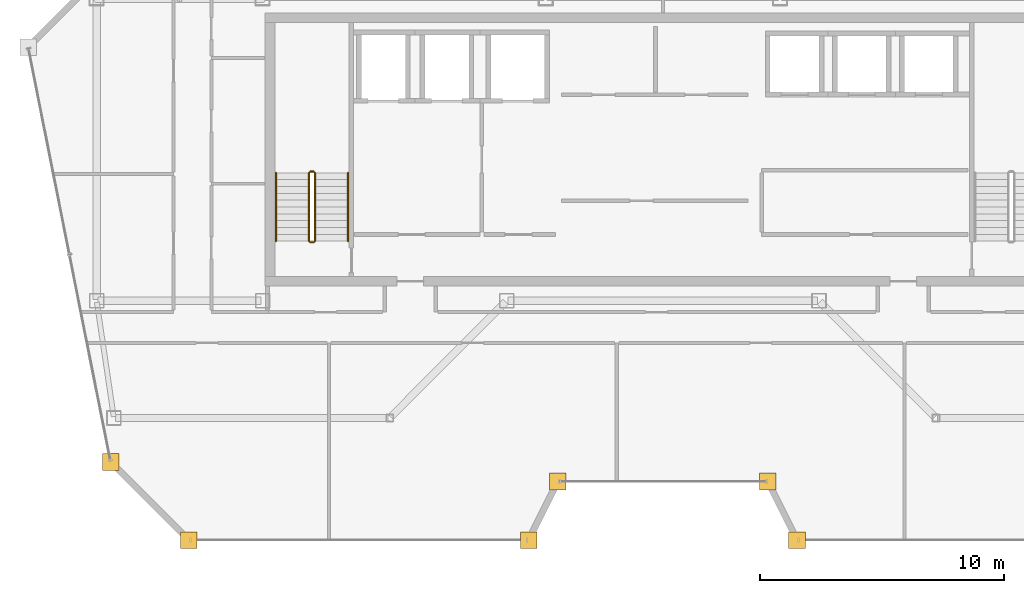
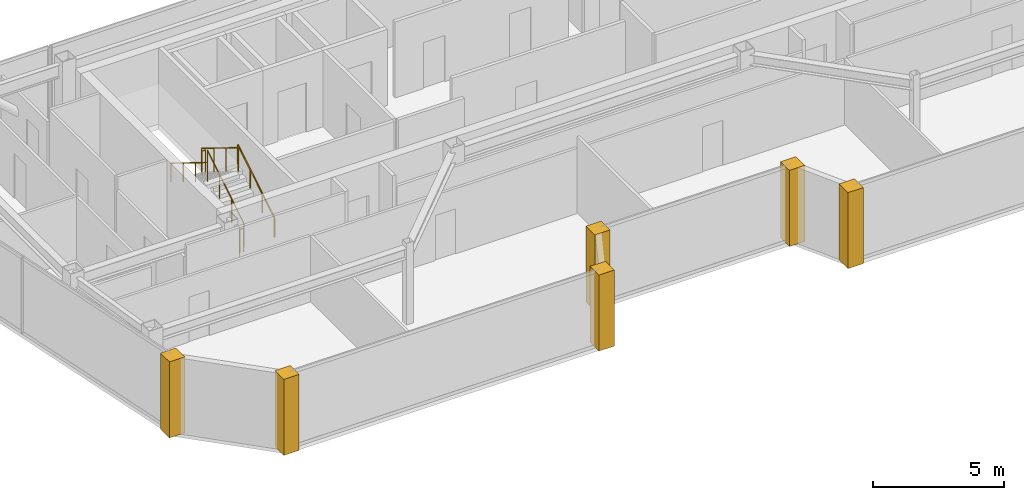
# One storey, part 21 of 23: 6 coverings, 6 railings.
"""IFC4 building model written with IfcOpenShell, lengths in metres."""

import ifcopenshell
import ifcopenshell.guid

model = None  # the IFC model being written
_history = None  # IfcOwnerHistory: only IFC2X3 demands one
_inside = {}  # id of a spatial element -> (the spatial element, [elements in it])
_under = {}  # id of a project, library or spatial element -> (it, [spatial elements below it])
_declared = {}  # id of a project -> (the project, [libraries it declares])
_typed = {}  # id of a type object -> (the type object, [elements of that type])
_made_of = {}  # id of a material, layer set ... -> (it, [elements and type objects made of it])


def new_model(schema):
    """Start an empty IFC model of exactly this schema.

    Asked for "IFC4X3", IfcOpenShell would pick the latest addendum, in which some entities
    have other attributes; the version numbers below select the first issue.
    IFC2X3 requires an IfcOwnerHistory on every rooted entity: one is made here for all.
    """
    global model, _history
    if schema == "IFC4X3":
        model = ifcopenshell.file(schema_version=(4, 3, 0, 0))
    else:
        model = ifcopenshell.file(schema=schema)
    _inside.clear()
    _under.clear()
    _declared.clear()
    _typed.clear()
    _made_of.clear()
    _history = None
    if model.schema == "IFC2X3":
        org = make("IfcOrganization", Name="unknown")
        user = make(
            "IfcPersonAndOrganization",
            ThePerson=make("IfcPerson", FamilyName="unknown"),
            TheOrganization=org,
        )
        app = make(
            "IfcApplication",
            ApplicationDeveloper=org,
            Version="unknown",
            ApplicationFullName="unknown",
            ApplicationIdentifier="unknown",
        )
        _history = make(
            "IfcOwnerHistory",
            OwningUser=user,
            OwningApplication=app,
            ChangeAction="ADDED",
            CreationDate=0,
        )
    return model


def make(cls, **values):
    """One entity of the class cls with the attributes given. An attribute that is None is left unset."""
    return model.create_entity(
        cls, **{name: value for name, value in values.items() if value is not None}
    )


def rooted(cls, **values):
    """An entity with a GlobalId (a new one), such as an element, a storey or a relation."""
    return make(cls, GlobalId=ifcopenshell.guid.new(), OwnerHistory=_history, **values)


def si_unit(unit_type, name, prefix=None):
    """IfcSIUnit, for example si_unit("LENGTHUNIT", "METRE", prefix="MILLI")."""
    return make("IfcSIUnit", UnitType=unit_type, Prefix=prefix, Name=name)


def assignment(units):
    """IfcUnitAssignment: the units of a project."""
    return None if units is None else make("IfcUnitAssignment", Units=units)


def point(xyz):
    """IfcCartesianPoint."""
    return None if xyz is None else make("IfcCartesianPoint", Coordinates=xyz)


def direction(xyz):
    """IfcDirection."""
    return None if xyz is None else make("IfcDirection", DirectionRatios=xyz)


def frame(location, z_axis=None, x_axis=None):
    """IfcAxis2Placement3D, a coordinate frame: its origin and axes. An axis left out is left unset."""
    return make(
        "IfcAxis2Placement3D",
        Location=point(location),
        Axis=direction(z_axis),
        RefDirection=direction(x_axis),
    )


def frame_2d(location, x_axis=None):
    """IfcAxis2Placement2D, a coordinate frame in the plane: its origin and x axis."""
    return make(
        "IfcAxis2Placement2D", Location=point(location), RefDirection=direction(x_axis)
    )


def origin():
    """The frame at (0, 0, 0) with its axes left unset."""
    return frame((0.0, 0.0, 0.0))


def origin_2d():
    """The frame at (0, 0) in the plane with its x axis left unset."""
    return frame_2d((0.0, 0.0))


def place(relative_to, where):
    """IfcLocalPlacement: puts the frame where relative to a parent placement (None: the world)."""
    return make(
        "IfcLocalPlacement", PlacementRelTo=relative_to, RelativePlacement=where
    )


def context(
    kind, dimensions, precision=None, world=None, true_north=None, identifier=None
):
    """IfcGeometricRepresentationContext, for example the 3D "Model" context."""
    return make(
        "IfcGeometricRepresentationContext",
        ContextIdentifier=identifier,
        ContextType=kind,
        CoordinateSpaceDimension=dimensions,
        Precision=precision,
        WorldCoordinateSystem=world,
        TrueNorth=true_north,
    )


def subcontext(parent, identifier, kind, view, scale=None):
    """IfcGeometricRepresentationSubContext, for example "Body" below "Model"."""
    return make(
        "IfcGeometricRepresentationSubContext",
        ContextIdentifier=identifier,
        ContextType=kind,
        ParentContext=parent,
        TargetScale=scale,
        TargetView=view,
    )


def project(units=None, contexts=None):
    """IfcProject with its units and contexts."""
    return rooted(
        "IfcProject",
        Name="project",
        RepresentationContexts=contexts,
        UnitsInContext=assignment(units),
    )


def spatial(cls, under=None, at=None, **own):
    """A site, building, storey or space (cls), placed at a placement, below another one or the project."""
    s = rooted(cls, ObjectPlacement=at, **own)
    if under is not None:
        _under.setdefault(under.id(), (under, []))[1].append(s)
    return s


def polyline(points):
    """IfcPolyline through the points."""
    return make("IfcPolyline", Points=[point(p) for p in points])


def profile(cls, at=None, kind="AREA", **sizes):
    """A parametric profile (cls). Its sizes go by their IFC names, for example OverallWidth=200.0."""
    return make(cls, ProfileType=kind, Position=at, **sizes)


def circle(**sizes):
    """IfcCircleProfileDef."""
    return profile("IfcCircleProfileDef", **sizes)


def outline(outer, holes=None, kind="AREA"):
    """IfcArbitraryClosedProfileDef: a profile drawn as a closed curve; with holes, ...WithVoids."""
    if holes is None:
        return make("IfcArbitraryClosedProfileDef", ProfileType=kind, OuterCurve=outer)
    return make(
        "IfcArbitraryProfileDefWithVoids",
        ProfileType=kind,
        OuterCurve=outer,
        InnerCurves=holes,
    )


def extrude(swept, where, along, depth):
    """IfcExtrudedAreaSolid: the profile swept, set in the frame where, extruded along a direction by depth."""
    return make(
        "IfcExtrudedAreaSolid",
        SweptArea=swept,
        Position=where,
        ExtrudedDirection=direction(along),
        Depth=depth,
    )


def shape(context_of_items, identifier, shape_type, items):
    """IfcShapeRepresentation: the items that make up one representation, for example the "Body"."""
    return make(
        "IfcShapeRepresentation",
        ContextOfItems=context_of_items,
        RepresentationIdentifier=identifier,
        RepresentationType=shape_type,
        Items=items,
    )


def material(Name=None, Category=None):
    """IfcMaterial."""
    return make("IfcMaterial", Name=Name, Category=Category)


def layer(
    of_material, thickness, ventilated=None, Name=None, Category=None, Priority=None
):
    """IfcMaterialLayer: one layer of a wall or slab, of a material (None: an air gap)."""
    return make(
        "IfcMaterialLayer",
        Material=of_material,
        LayerThickness=thickness,
        IsVentilated=ventilated,
        Name=Name,
        Category=Category,
        Priority=Priority,
    )


def layer_set(layers, Name=None):
    """IfcMaterialLayerSet."""
    return make("IfcMaterialLayerSet", MaterialLayers=layers, LayerSetName=Name)


def made_of(thing, what):
    """Note that an element or type object is made of a material, layer set ...; save() writes the relation."""
    if what is not None:
        _made_of.setdefault(what.id(), (what, []))[1].append(thing)
    return thing


def type_object(cls, material=None, **own):
    """A type object (cls), such as IfcWallType, which elements share."""
    return made_of(rooted(cls, **own), material)


def element(
    cls,
    number,
    at=None,
    inside=None,
    cuts=None,
    type_object=None,
    material=None,
    context=None,
    identifier="Body",
    shape_type=None,
    held_by="IfcProductDefinitionShape",
    body=None,
    shapes=None,
    **own,
):
    """One element of the class cls, such as IfcWall. Its Tag is "e" and its number.

    at: its placement. inside: the storey or other place that contains it. cuts: it is an
    opening in that element (IfcRelVoidsElement). A single representation is given by context,
    identifier, shape_type and body (its items); several are given by shapes. held_by: the class
    of the entity that holds the representations. save() writes the other relations.
    """
    e = rooted(cls, Tag="e%d" % number, ObjectPlacement=at, **own)
    if body is not None:
        shapes = [shape(context, identifier, shape_type, body)]
    if shapes is not None:
        e.Representation = make(held_by, Representations=shapes)
    if inside is not None:
        _inside.setdefault(inside.id(), (inside, []))[1].append(e)
    if cuts is not None:
        rooted(
            "IfcRelVoidsElement", RelatingBuildingElement=cuts, RelatedOpeningElement=e
        )
    if type_object is not None:
        _typed.setdefault(type_object.id(), (type_object, []))[1].append(e)
    return made_of(e, material)


def aggregate(whole, parts):
    """IfcRelAggregates: a whole, such as a stair, and the parts it consists of."""
    return rooted("IfcRelAggregates", RelatingObject=whole, RelatedObjects=parts)


def save(model, path):
    """Write the relations noted so far, then the file.

    IfcRelAggregates (storeys below a building ...), IfcRelContainedInSpatialStructure (elements
    in a storey), IfcRelDefinesByType, IfcRelAssociatesMaterial and IfcRelDeclares: one each for
    every whole, place, type object, material and project.
    """
    for whole, parts in _under.values():
        aggregate(whole, parts)
    for where, things in _inside.values():
        rooted(
            "IfcRelContainedInSpatialStructure",
            RelatedElements=things,
            RelatingStructure=where,
        )
    for kind, things in _typed.values():
        rooted("IfcRelDefinesByType", RelatedObjects=things, RelatingType=kind)
    for what, things in _made_of.values():
        rooted("IfcRelAssociatesMaterial", RelatedObjects=things, RelatingMaterial=what)
    for by, libraries in _declared.values():
        rooted("IfcRelDeclares", RelatingContext=by, RelatedDefinitions=libraries)
    model.write(path)


model = new_model("IFC4")

# Units and contexts
model_context = context("Model", 3, precision=1e-05, world=origin(), true_north=direction((0.0, 1.0)))
body_context = subcontext(model_context, "Body", "Model", "MODEL_VIEW")
ifc_project = project(units=[si_unit("LENGTHUNIT", "METRE"), si_unit("AREAUNIT", "SQUARE_METRE"), si_unit("VOLUMEUNIT", "CUBIC_METRE"), si_unit("PLANEANGLEUNIT", "RADIAN"), si_unit("MASSUNIT", "GRAM", prefix="KILO")], contexts=[model_context])

# Site, building, storey
site_placement = place(None, origin())
site = spatial("IfcSite", under=ifc_project, at=site_placement, CompositionType="ELEMENT")
building_placement = place(site_placement, origin())
building = spatial("IfcBuilding", under=site, at=building_placement, Name="Saevonmaru Cultural Tower", CompositionType="ELEMENT")
storey_placement = place(building_placement, frame((0.0, 0.0, 302.800048828125)))
storey = spatial("IfcBuildingStorey", under=building, at=storey_placement, Name="L72", CompositionType="ELEMENT", Elevation=302.800048828125)

# Coverings
ifc_material_1 = material(Name="Satin Bronze Anodised Aluminium", Category="aluminium")
ifc_layer = layer(ifc_material_1, 0.679931640625, Name="Satin Bronze Anodised Aluminium")
ifc_layer_set = layer_set([ifc_layer], Name="Satin Bronze Anodised Aluminium")
covering_type = type_object("IfcCoveringType", Name="CV-CORNER-CLAD", PredefinedType="CLADDING", material=ifc_layer_set)
covering_1_placement = place(storey_placement, origin())
element("IfcCovering", 1, at=covering_1_placement, inside=storey, type_object=covering_type, Name="L72 Tower Bronze Corner Cladding Pier 1", PredefinedType="CLADDING", context=body_context, shape_type="SweptSolid", body=[
    extrude(outline(polyline([(7.0400390625, 35.4599609375), (7.719970703125, 35.4599609375), (7.719970703125, 36.139892578125), (7.0400390625, 36.139892578125), (7.0400390625, 35.4599609375)])), origin(), (0.0, 0.0, 1.0), 3.550048828125),
])
covering_2_placement = place(storey_placement, origin())
element("IfcCovering", 2, at=covering_2_placement, inside=storey, type_object=covering_type, Name="L72 Tower Bronze Corner Cladding Pier 2", PredefinedType="CLADDING", context=body_context, shape_type="SweptSolid", body=[
    extrude(outline(polyline([(10.239990234375, 32.260009765625), (10.919921875, 32.260009765625), (10.919921875, 32.93994140625), (10.239990234375, 32.93994140625), (10.239990234375, 32.260009765625)])), origin(), (0.0, 0.0, 1.0), 3.550048828125),
])
covering_3_placement = place(storey_placement, origin())
element("IfcCovering", 3, at=covering_3_placement, inside=storey, type_object=covering_type, Name="L72 Tower Bronze Corner Cladding Pier 3", PredefinedType="CLADDING", context=body_context, shape_type="SweptSolid", body=[
    extrude(outline(polyline([(24.159912109375, 32.260009765625), (24.840087890625, 32.260009765625), (24.840087890625, 32.93994140625), (24.159912109375, 32.93994140625), (24.159912109375, 32.260009765625)])), origin(), (0.0, 0.0, 1.0), 3.550048828125),
])
covering_4_placement = place(storey_placement, origin())
element("IfcCovering", 4, at=covering_4_placement, inside=storey, type_object=covering_type, Name="L72 Tower Bronze Corner Cladding Pier 4", PredefinedType="CLADDING", context=body_context, shape_type="SweptSolid", body=[
    extrude(outline(polyline([(25.360107421875, 34.659912109375), (26.0400390625, 34.659912109375), (26.0400390625, 35.340087890625), (25.360107421875, 35.340087890625), (25.360107421875, 34.659912109375)])), origin(), (0.0, 0.0, 1.0), 3.550048828125),
])
covering_5_placement = place(storey_placement, origin())
element("IfcCovering", 5, at=covering_5_placement, inside=storey, type_object=covering_type, Name="L72 Tower Bronze Corner Cladding Pier 5", PredefinedType="CLADDING", context=body_context, shape_type="SweptSolid", body=[
    extrude(outline(polyline([(33.9599609375, 34.659912109375), (34.639892578125, 34.659912109375), (34.639892578125, 35.340087890625), (33.9599609375, 35.340087890625), (33.9599609375, 34.659912109375)])), origin(), (0.0, 0.0, 1.0), 3.550048828125),
])
covering_6_placement = place(storey_placement, origin())
element("IfcCovering", 6, at=covering_6_placement, inside=storey, type_object=covering_type, Name="L72 Tower Bronze Corner Cladding Pier 6", PredefinedType="CLADDING", context=body_context, shape_type="SweptSolid", body=[
    extrude(outline(polyline([(35.159912109375, 32.260009765625), (35.840087890625, 32.260009765625), (35.840087890625, 32.93994140625), (35.159912109375, 32.93994140625), (35.159912109375, 32.260009765625)])), origin(), (0.0, 0.0, 1.0), 3.550048828125),
])

# Railings
ifc_material_2 = material(Name="Architectural Painted Steel", Category="steel")
railing_type_1 = type_object("IfcRailingType", Name="RL-STAIR-GUARD", PredefinedType="GUARDRAIL", material=ifc_material_2)
railing_1_placement = place(storey_placement, frame((15.75, 44.85009765625, 0.172607421875)))
element("IfcRailing", 7, at=railing_1_placement, inside=storey, type_object=railing_type_1, Name="L72 ST-1 stair guard 1", PredefinedType="GUARDRAIL", context=body_context, shape_type="SweptSolid", body=[
    extrude(circle(Radius=0.02392578125, at=origin_2d()), frame((0.0, 0.0, 1.09619140625), z_axis=(0.0, 0.851069175582, 0.525053576669), x_axis=(-1.0, 0.0, 0.0)), (0.0, 0.0, 1.0), 3.289794921875),
    extrude(circle(Radius=0.02099609375, at=origin_2d()), origin(), (0.0, 0.0, 1.0), 1.072021484375),
    extrude(circle(Radius=0.02099609375, at=origin_2d()), frame((0.0, 0.933349609375, 0.57568359375)), (0.0, 0.0, 1.0), 1.072021484375),
    extrude(circle(Radius=0.02099609375, at=origin_2d()), frame((0.0, 1.866455078125, 1.151611328125)), (0.0, 0.0, 1.0), 1.072021484375),
    extrude(circle(Radius=0.02099609375, at=origin_2d()), frame((0.0, 2.7998046875, 1.727294921875)), (0.0, 0.0, 1.0), 1.072021484375),
])
railing_2_placement = place(storey_placement, frame((15.699951171875, 47.699951171875, 1.89990234375)))
element("IfcRailing", 8, at=railing_2_placement, inside=storey, type_object=railing_type_1, Name="L72 ST-1 stair guard 2", PredefinedType="GUARDRAIL", context=body_context, shape_type="SweptSolid", body=[
    extrude(circle(Radius=0.02392578125, at=origin_2d()), frame((0.0, 0.0, 1.09619140625), z_axis=(-1.0, 0.0, 0.0), x_axis=(0.0, -1.0, 0.0)), (0.0, 0.0, 1.0), 0.14990234375),
    extrude(circle(Radius=0.02099609375, at=origin_2d()), origin(), (0.0, 0.0, 1.0), 1.072021484375),
    extrude(circle(Radius=0.02099609375, at=origin_2d()), frame((-0.14990234375, 0.0, 0.0)), (0.0, 0.0, 1.0), 1.072021484375),
])
railing_3_placement = place(storey_placement, frame((15.5, 47.64990234375, 2.07275390625)))
element("IfcRailing", 9, at=railing_3_placement, inside=storey, type_object=railing_type_1, Name="L72 ST-1 stair guard 3", PredefinedType="GUARDRAIL", context=body_context, shape_type="SweptSolid", body=[
    extrude(circle(Radius=0.02392578125, at=origin_2d()), frame((0.0, 0.0, 1.09619140625), z_axis=(0.0, -0.851069175582, 0.525053576669), x_axis=(1.0, 0.0, 0.0)), (0.0, 0.0, 1.0), 3.289794921875),
    extrude(circle(Radius=0.02099609375, at=origin_2d()), origin(), (0.0, 0.0, 1.0), 1.072021484375),
    extrude(circle(Radius=0.02099609375, at=origin_2d()), frame((0.0, -0.933349609375, 0.57568359375)), (0.0, 0.0, 1.0), 1.072021484375),
    extrude(circle(Radius=0.02099609375, at=origin_2d()), frame((0.0, -1.866455078125, 1.151611328125)), (0.0, 0.0, 1.0), 1.072021484375),
    extrude(circle(Radius=0.02099609375, at=origin_2d()), frame((0.0, -2.7998046875, 1.727294921875)), (0.0, 0.0, 1.0), 1.072021484375),
])
railing_4_placement = place(storey_placement, frame((15.699951171875, 44.800048828125, 0.0)))
element("IfcRailing", 10, at=railing_4_placement, inside=storey, type_object=railing_type_1, Name="L72 ST-1 stair guard 4", PredefinedType="GUARDRAIL", context=body_context, shape_type="SweptSolid", body=[
    extrude(circle(Radius=0.02392578125, at=origin_2d()), frame((0.0, 0.0, 1.09619140625), z_axis=(-1.0, 0.0, 0.0), x_axis=(0.0, -1.0, 0.0)), (0.0, 0.0, 1.0), 0.14990234375),
    extrude(circle(Radius=0.02099609375, at=origin_2d()), origin(), (0.0, 0.0, 1.0), 1.072021484375),
    extrude(circle(Radius=0.02099609375, at=origin_2d()), frame((-0.14990234375, 0.0, 0.0)), (0.0, 0.0, 1.0), 1.072021484375),
])
railing_type_2 = type_object("IfcRailingType", Name="RL-STAIR-HANDRAIL", PredefinedType="HANDRAIL", material=ifc_material_1)
railing_5_placement = place(storey_placement, frame((17.10009765625, 44.85009765625, 0.172607421875)))
element("IfcRailing", 11, at=railing_5_placement, inside=storey, type_object=railing_type_2, Name="L72 ST-1 stair handrail 1", PredefinedType="HANDRAIL", context=body_context, shape_type="SweptSolid", body=[
    extrude(circle(Radius=0.02392578125, at=origin_2d()), frame((0.0, 0.0, 0.8759765625), z_axis=(0.0, 0.851069175582, 0.525053576669), x_axis=(-1.0, 0.0, 0.0)), (0.0, 0.0, 1.0), 3.289794921875),
    extrude(circle(Radius=0.02099609375, at=origin_2d()), origin(), (0.0, 0.0, 1.0), 0.851806640625),
    extrude(circle(Radius=0.02099609375, at=origin_2d()), frame((0.0, 0.933349609375, 0.57568359375)), (0.0, 0.0, 1.0), 0.851806640625),
    extrude(circle(Radius=0.02099609375, at=origin_2d()), frame((0.0, 1.866455078125, 1.151611328125)), (0.0, 0.0, 1.0), 0.851806640625),
    extrude(circle(Radius=0.02099609375, at=origin_2d()), frame((0.0, 2.7998046875, 1.727294921875)), (0.0, 0.0, 1.0), 0.851806640625),
])
railing_6_placement = place(storey_placement, frame((14.14990234375, 47.64990234375, 2.07275390625)))
element("IfcRailing", 12, at=railing_6_placement, inside=storey, type_object=railing_type_2, Name="L72 ST-1 stair handrail 2", PredefinedType="HANDRAIL", context=body_context, shape_type="SweptSolid", body=[
    extrude(circle(Radius=0.02392578125, at=origin_2d()), frame((0.0, 0.0, 0.8759765625), z_axis=(0.0, -0.851069175582, 0.525053576669), x_axis=(1.0, 0.0, 0.0)), (0.0, 0.0, 1.0), 3.289794921875),
    extrude(circle(Radius=0.02099609375, at=origin_2d()), origin(), (0.0, 0.0, 1.0), 0.851806640625),
    extrude(circle(Radius=0.02099609375, at=origin_2d()), frame((0.0, -0.933349609375, 0.57568359375)), (0.0, 0.0, 1.0), 0.851806640625),
    extrude(circle(Radius=0.02099609375, at=origin_2d()), frame((0.0, -1.866455078125, 1.151611328125)), (0.0, 0.0, 1.0), 0.851806640625),
    extrude(circle(Radius=0.02099609375, at=origin_2d()), frame((0.0, -2.7998046875, 1.727294921875)), (0.0, 0.0, 1.0), 0.851806640625),
])

save(model, "model.ifc")
